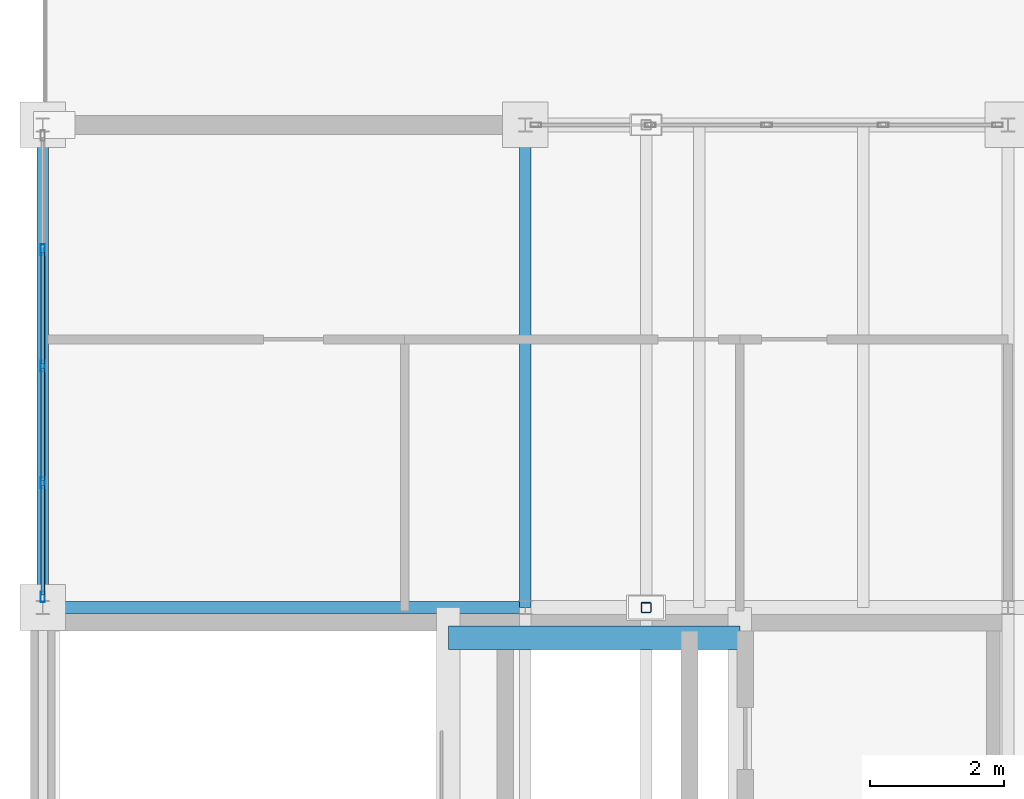
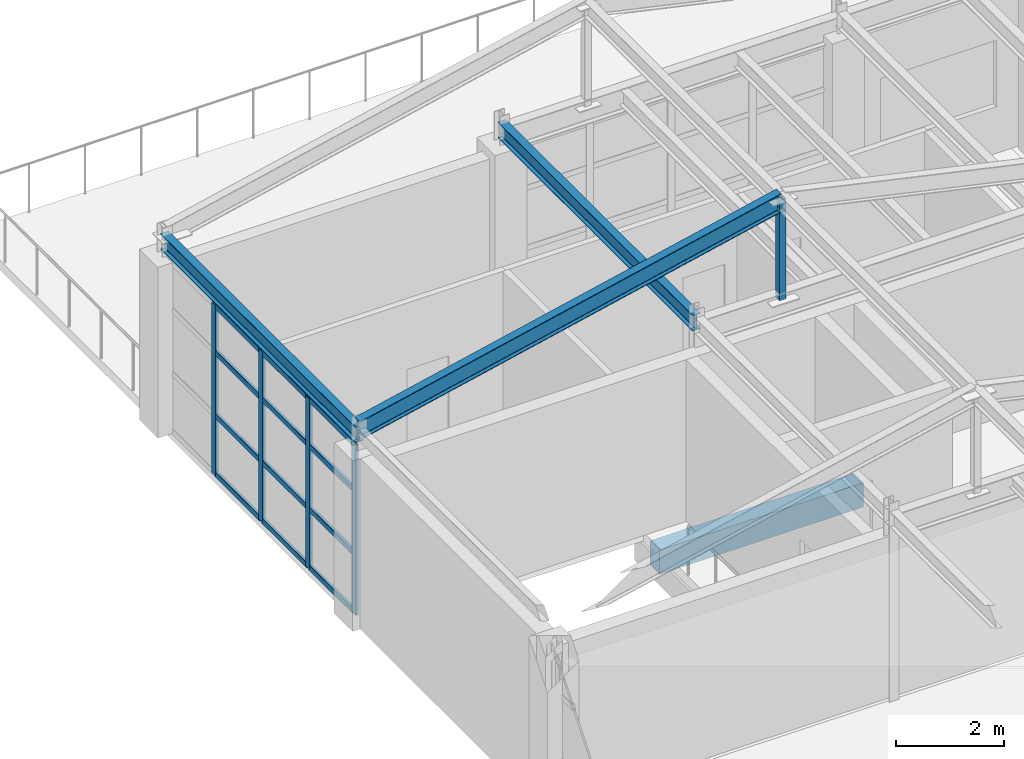
# One storey, part 28 of 43: 17 members, 4 beams, 1 element without a shape of its own.
"""IFC4 building model written with IfcOpenShell, lengths in metres."""

from ifc_helpers import new_model, si_unit, direction, frame, origin, origin_2d, place, context, subcontext, project, spatial, rectangle, hollow_rectangle, i_section, extrude, material, layer, layer_set, material_profile, profile_set, type_object, element, aggregate, save


model = new_model("IFC4")

# Units and contexts
model_context = context("Model", 3, precision=1e-05, world=origin(), true_north=direction((0.0, 1.0)))
body_context = subcontext(model_context, "Body", "Model", "MODEL_VIEW")
ifc_project = project(units=[si_unit("LENGTHUNIT", "METRE"), si_unit("AREAUNIT", "SQUARE_METRE"), si_unit("VOLUMEUNIT", "CUBIC_METRE"), si_unit("PLANEANGLEUNIT", "RADIAN"), si_unit("MASSUNIT", "GRAM", prefix="KILO")], contexts=[model_context])

# Site, building, storey
site_placement = place(None, origin())
site = spatial("IfcSite", under=ifc_project, at=site_placement, CompositionType="ELEMENT")
building_placement = place(site_placement, origin())
building = spatial("IfcBuilding", under=site, at=building_placement, Name="Kemerveld Promenade Tramway Depot", CompositionType="ELEMENT")
storey_placement = place(building_placement, frame((0.0, 0.0, 18.89990234375)))
storey = spatial("IfcBuildingStorey", under=building, at=storey_placement, Name="L04", CompositionType="ELEMENT", Elevation=18.89990234375)

# Beams
ifc_material_1 = material(Name="Steel S355", Category="steel")
ifc_material_profile_1 = material_profile(ifc_material_1, i_section(OverallWidth=0.1787109375, OverallDepth=0.409423828125, WebThickness=0.0087890625, FlangeThickness=0.014404296875, FilletRadius=0.01025390625, at=origin_2d()), Name="406x178x67 UB")
ifc_profile_set_1 = profile_set([ifc_material_profile_1], Name="Steel S355")
beam_type_1 = type_object("IfcBeamType", Name="BM-G07", PredefinedType="BEAM", material=ifc_profile_set_1)
beam_1_placement = place(storey_placement, frame((0.0, 50.39990234375, 4.275390625), z_axis=(0.976187060184, 0.0, 0.216930457819), x_axis=(0.0, 1.0, 0.0)))
element("IfcBeam", 1, at=beam_1_placement, inside=storey, type_object=beam_type_1, Name="RAF-V5-H-W", PredefinedType="BEAM", context=body_context, shape_type="SweptSolid", body=[
    extrude(i_section(OverallWidth=0.1787109375, OverallDepth=0.409423828125, WebThickness=0.0087890625, FlangeThickness=0.014404296875, FilletRadius=0.01025390625, at=origin_2d()), origin(), (0.0, 0.0, 1.0), 9.219482421875),
])
ifc_material_profile_2 = material_profile(ifc_material_1, i_section(OverallWidth=0.172119140625, OverallDepth=0.35791015625, WebThickness=0.008056640625, FlangeThickness=0.012939453125, FilletRadius=0.01025390625, at=origin_2d()), Name="356x171x57 UB")
ifc_profile_set_2 = profile_set([ifc_material_profile_2], Name="Steel S355")
beam_type_2 = type_object("IfcBeamType", Name="BM-G08", PredefinedType="BEAM", material=ifc_profile_set_2)
for number, where, z_axis, x_axis, name in (
    (2, (0.0, 50.39990234375, 4.14111328125), (0.0, 1.0, 0.0), (-1.0, 0.0, 0.0), "BMY-L04-01-H-J"),
    (3, (7.199951171875, 50.39990234375, 4.14111328125), (0.0, 1.0, 0.0), (-1.0, 0.0, 0.0), "BMY-L04-02-H-J"),
):
    element("IfcBeam", number, at=place(storey_placement, frame(where, z_axis=z_axis, x_axis=x_axis)), inside=storey, type_object=beam_type_2, Name=name, PredefinedType="BEAM", context=body_context, shape_type="SweptSolid", body=[
        extrude(i_section(OverallWidth=0.172119140625, OverallDepth=0.35791015625, WebThickness=0.008056640625, FlangeThickness=0.012939453125, FilletRadius=0.01025390625, at=origin_2d()), origin(), (0.0, 0.0, 1.0), 7.2001953125),
    ])
ifc_material_2 = material(Name="Concrete C40/50", Category="concrete")
ifc_material_profile_3 = material_profile(ifc_material_2, rectangle(XDim=0.35009765625, YDim=0.550048828125, at=origin_2d()), Name="RC-BM-350x550")
ifc_profile_set_3 = profile_set([ifc_material_profile_3], Name="Concrete C40/50")
beam_type_3 = type_object("IfcBeamType", Name="BM-RC3", PredefinedType="BEAM", material=ifc_profile_set_3)
beam_2_placement = place(storey_placement, frame((6.050048828125, 49.949951171875, -0.5), z_axis=(1.0, 0.0, 0.0), x_axis=(0.0, 1.0, 0.0)))
element("IfcBeam", 4, at=beam_2_placement, inside=storey, type_object=beam_type_3, Name="BM-COREX-C2-L04-N", PredefinedType="BEAM", context=body_context, shape_type="SweptSolid", body=[
    extrude(rectangle(XDim=0.35009765625, YDim=0.550048828125, at=origin_2d()), origin(), (0.0, 0.0, 1.0), 4.349853515625),
])

# Curtain wall, members
ifc_material_3 = material(Name="Bronze anodised aluminium and solar glass", Category="aluminium")
ifc_layer = layer(ifc_material_3, 0.159912109375)
ifc_layer_set = layer_set([ifc_layer], Name="CW-SYS-11")
curtain_wall_type = type_object("IfcCurtainWallType", Name="CW-SYS-11", PredefinedType="USERDEFINED", material=ifc_layer_set)
curtain_wall_placement = place(storey_placement, origin())
curtain_wall = element("IfcCurtainWall", 5, at=curtain_wall_placement, inside=storey, type_object=curtain_wall_type, Name="CW-L04-V5W-08", ObjectType="GLAZED_CURTAIN_WALL", PredefinedType="USERDEFINED")
ifc_material_4 = material(Name="Bronze anodised aluminium", Category="aluminium")
ifc_material_profile_4 = material_profile(ifc_material_4, hollow_rectangle(XDim=0.06494140625, YDim=0.159912109375, WallThickness=0.00390625, InnerFilletRadius=0.001953125, OuterFilletRadius=0.00390625, at=origin_2d()), Name="CW-MUL-160x65")
ifc_profile_set_4 = profile_set([ifc_material_profile_4], Name="Bronze anodised aluminium")
member_type_1 = type_object("IfcMemberType", Name="CW-MUL-A", PredefinedType="MULLION", material=ifc_profile_set_4)
member_1_placement = place(storey_placement, frame((0.0, 50.557373046875, 0.0), z_axis=(0.0, 0.0, 1.0), x_axis=(-1.0, 0.0, 0.0)))
member_1 = element("IfcMember", 6, at=member_1_placement, type_object=member_type_1, Name="CW11 mullion 1", PredefinedType="MULLION", context=body_context, shape_type="SweptSolid", body=[
    extrude(hollow_rectangle(XDim=0.06494140625, YDim=0.159912109375, WallThickness=0.00390625, InnerFilletRadius=0.001953125, OuterFilletRadius=0.00390625, at=origin_2d()), origin(), (0.0, 0.0, 1.0), 3.85009765625),
])
member_2_placement = place(storey_placement, frame((0.0, 52.262451171875, 0.0), z_axis=(0.0, 0.0, 1.0), x_axis=(-1.0, 0.0, 0.0)))
member_2 = element("IfcMember", 7, at=member_2_placement, type_object=member_type_1, Name="CW11 mullion 2", PredefinedType="MULLION", context=body_context, shape_type="SweptSolid", body=[
    extrude(hollow_rectangle(XDim=0.06494140625, YDim=0.159912109375, WallThickness=0.00390625, InnerFilletRadius=0.001953125, OuterFilletRadius=0.00390625, at=origin_2d()), origin(), (0.0, 0.0, 1.0), 3.85009765625),
])
member_3_placement = place(storey_placement, frame((0.0, 54.0, 0.0), z_axis=(0.0, 0.0, 1.0), x_axis=(-1.0, 0.0, 0.0)))
member_3 = element("IfcMember", 8, at=member_3_placement, type_object=member_type_1, Name="CW11 mullion 3", PredefinedType="MULLION", context=body_context, shape_type="SweptSolid", body=[
    extrude(hollow_rectangle(XDim=0.06494140625, YDim=0.159912109375, WallThickness=0.00390625, InnerFilletRadius=0.001953125, OuterFilletRadius=0.00390625, at=origin_2d()), origin(), (0.0, 0.0, 1.0), 3.85009765625),
])
member_4_placement = place(storey_placement, frame((0.0, 55.737548828125, 0.0), z_axis=(0.0, 0.0, 1.0), x_axis=(-1.0, 0.0, 0.0)))
member_4 = element("IfcMember", 9, at=member_4_placement, type_object=member_type_1, Name="CW11 mullion 4", PredefinedType="MULLION", context=body_context, shape_type="SweptSolid", body=[
    extrude(hollow_rectangle(XDim=0.06494140625, YDim=0.159912109375, WallThickness=0.00390625, InnerFilletRadius=0.001953125, OuterFilletRadius=0.00390625, at=origin_2d()), origin(), (0.0, 0.0, 1.0), 3.85009765625),
])
ifc_material_profile_5 = material_profile(ifc_material_4, hollow_rectangle(XDim=0.06005859375, YDim=0.1201171875, WallThickness=0.00390625, InnerFilletRadius=0.001953125, OuterFilletRadius=0.00390625, at=origin_2d()), Name="CW-TRN-120x60")
ifc_profile_set_5 = profile_set([ifc_material_profile_5], Name="Bronze anodised aluminium")
member_type_2 = type_object("IfcMemberType", Name="CW-TRN-A", PredefinedType="USERDEFINED", material=ifc_profile_set_5)
member_5_placement = place(storey_placement, frame((0.0, 50.58984375, 0.030029296875), z_axis=(0.0, 1.0, 0.0), x_axis=(-1.0, 0.0, 0.0)))
member_5 = element("IfcMember", 10, at=member_5_placement, type_object=member_type_2, Name="CW11 transom 1.1", ObjectType="TRANSOM", PredefinedType="USERDEFINED", context=body_context, shape_type="SweptSolid", body=[
    extrude(hollow_rectangle(XDim=0.06005859375, YDim=0.1201171875, WallThickness=0.00390625, InnerFilletRadius=0.001953125, OuterFilletRadius=0.00390625, at=origin_2d()), origin(), (0.0, 0.0, 1.0), 1.64013671875),
])
member_6_placement = place(storey_placement, frame((0.0, 50.58984375, 1.34716796875), z_axis=(0.0, 1.0, 0.0), x_axis=(-1.0, 0.0, 0.0)))
member_6 = element("IfcMember", 11, at=member_6_placement, type_object=member_type_2, Name="CW11 transom 1.2", ObjectType="TRANSOM", PredefinedType="USERDEFINED", context=body_context, shape_type="SweptSolid", body=[
    extrude(hollow_rectangle(XDim=0.06005859375, YDim=0.1201171875, WallThickness=0.00390625, InnerFilletRadius=0.001953125, OuterFilletRadius=0.00390625, at=origin_2d()), origin(), (0.0, 0.0, 1.0), 1.64013671875),
])
member_7_placement = place(storey_placement, frame((0.0, 50.58984375, 2.772216796875), z_axis=(0.0, 1.0, 0.0), x_axis=(-1.0, 0.0, 0.0)))
member_7 = element("IfcMember", 12, at=member_7_placement, type_object=member_type_2, Name="CW11 transom 1.3", ObjectType="TRANSOM", PredefinedType="USERDEFINED", context=body_context, shape_type="SweptSolid", body=[
    extrude(hollow_rectangle(XDim=0.06005859375, YDim=0.1201171875, WallThickness=0.00390625, InnerFilletRadius=0.001953125, OuterFilletRadius=0.00390625, at=origin_2d()), origin(), (0.0, 0.0, 1.0), 1.64013671875),
])
member_8_placement = place(storey_placement, frame((0.0, 50.58984375, 3.820068359375), z_axis=(0.0, 1.0, 0.0), x_axis=(-1.0, 0.0, 0.0)))
member_8 = element("IfcMember", 13, at=member_8_placement, type_object=member_type_2, Name="CW11 transom 1.4", ObjectType="TRANSOM", PredefinedType="USERDEFINED", context=body_context, shape_type="SweptSolid", body=[
    extrude(hollow_rectangle(XDim=0.06005859375, YDim=0.1201171875, WallThickness=0.00390625, InnerFilletRadius=0.001953125, OuterFilletRadius=0.00390625, at=origin_2d()), origin(), (0.0, 0.0, 1.0), 1.64013671875),
])
member_9_placement = place(storey_placement, frame((0.0, 52.294921875, 0.030029296875), z_axis=(0.0, 1.0, 0.0), x_axis=(-1.0, 0.0, 0.0)))
member_9 = element("IfcMember", 14, at=member_9_placement, type_object=member_type_2, Name="CW11 transom 2.1", ObjectType="TRANSOM", PredefinedType="USERDEFINED", context=body_context, shape_type="SweptSolid", body=[
    extrude(hollow_rectangle(XDim=0.06005859375, YDim=0.1201171875, WallThickness=0.00390625, InnerFilletRadius=0.001953125, OuterFilletRadius=0.00390625, at=origin_2d()), origin(), (0.0, 0.0, 1.0), 1.672607421875),
])
member_10_placement = place(storey_placement, frame((0.0, 52.294921875, 1.34716796875), z_axis=(0.0, 1.0, 0.0), x_axis=(-1.0, 0.0, 0.0)))
member_10 = element("IfcMember", 15, at=member_10_placement, type_object=member_type_2, Name="CW11 transom 2.2", ObjectType="TRANSOM", PredefinedType="USERDEFINED", context=body_context, shape_type="SweptSolid", body=[
    extrude(hollow_rectangle(XDim=0.06005859375, YDim=0.1201171875, WallThickness=0.00390625, InnerFilletRadius=0.001953125, OuterFilletRadius=0.00390625, at=origin_2d()), origin(), (0.0, 0.0, 1.0), 1.672607421875),
])
member_11_placement = place(storey_placement, frame((0.0, 52.294921875, 2.772216796875), z_axis=(0.0, 1.0, 0.0), x_axis=(-1.0, 0.0, 0.0)))
member_11 = element("IfcMember", 16, at=member_11_placement, type_object=member_type_2, Name="CW11 transom 2.3", ObjectType="TRANSOM", PredefinedType="USERDEFINED", context=body_context, shape_type="SweptSolid", body=[
    extrude(hollow_rectangle(XDim=0.06005859375, YDim=0.1201171875, WallThickness=0.00390625, InnerFilletRadius=0.001953125, OuterFilletRadius=0.00390625, at=origin_2d()), origin(), (0.0, 0.0, 1.0), 1.672607421875),
])
member_12_placement = place(storey_placement, frame((0.0, 52.294921875, 3.820068359375), z_axis=(0.0, 1.0, 0.0), x_axis=(-1.0, 0.0, 0.0)))
member_12 = element("IfcMember", 17, at=member_12_placement, type_object=member_type_2, Name="CW11 transom 2.4", ObjectType="TRANSOM", PredefinedType="USERDEFINED", context=body_context, shape_type="SweptSolid", body=[
    extrude(hollow_rectangle(XDim=0.06005859375, YDim=0.1201171875, WallThickness=0.00390625, InnerFilletRadius=0.001953125, OuterFilletRadius=0.00390625, at=origin_2d()), origin(), (0.0, 0.0, 1.0), 1.672607421875),
])
member_13_placement = place(storey_placement, frame((0.0, 54.032470703125, 0.030029296875), z_axis=(0.0, 1.0, 0.0), x_axis=(-1.0, 0.0, 0.0)))
member_13 = element("IfcMember", 18, at=member_13_placement, type_object=member_type_2, Name="CW11 transom 3.1", ObjectType="TRANSOM", PredefinedType="USERDEFINED", context=body_context, shape_type="SweptSolid", body=[
    extrude(hollow_rectangle(XDim=0.06005859375, YDim=0.1201171875, WallThickness=0.00390625, InnerFilletRadius=0.001953125, OuterFilletRadius=0.00390625, at=origin_2d()), origin(), (0.0, 0.0, 1.0), 1.672607421875),
])
member_14_placement = place(storey_placement, frame((0.0, 54.032470703125, 1.34716796875), z_axis=(0.0, 1.0, 0.0), x_axis=(-1.0, 0.0, 0.0)))
member_14 = element("IfcMember", 19, at=member_14_placement, type_object=member_type_2, Name="CW11 transom 3.2", ObjectType="TRANSOM", PredefinedType="USERDEFINED", context=body_context, shape_type="SweptSolid", body=[
    extrude(hollow_rectangle(XDim=0.06005859375, YDim=0.1201171875, WallThickness=0.00390625, InnerFilletRadius=0.001953125, OuterFilletRadius=0.00390625, at=origin_2d()), origin(), (0.0, 0.0, 1.0), 1.672607421875),
])
member_15_placement = place(storey_placement, frame((0.0, 54.032470703125, 2.772216796875), z_axis=(0.0, 1.0, 0.0), x_axis=(-1.0, 0.0, 0.0)))
member_15 = element("IfcMember", 20, at=member_15_placement, type_object=member_type_2, Name="CW11 transom 3.3", ObjectType="TRANSOM", PredefinedType="USERDEFINED", context=body_context, shape_type="SweptSolid", body=[
    extrude(hollow_rectangle(XDim=0.06005859375, YDim=0.1201171875, WallThickness=0.00390625, InnerFilletRadius=0.001953125, OuterFilletRadius=0.00390625, at=origin_2d()), origin(), (0.0, 0.0, 1.0), 1.672607421875),
])
member_16_placement = place(storey_placement, frame((0.0, 54.032470703125, 3.820068359375), z_axis=(0.0, 1.0, 0.0), x_axis=(-1.0, 0.0, 0.0)))
member_16 = element("IfcMember", 21, at=member_16_placement, type_object=member_type_2, Name="CW11 transom 3.4", ObjectType="TRANSOM", PredefinedType="USERDEFINED", context=body_context, shape_type="SweptSolid", body=[
    extrude(hollow_rectangle(XDim=0.06005859375, YDim=0.1201171875, WallThickness=0.00390625, InnerFilletRadius=0.001953125, OuterFilletRadius=0.00390625, at=origin_2d()), origin(), (0.0, 0.0, 1.0), 1.672607421875),
])
aggregate(curtain_wall, [member_1, member_2, member_3, member_4, member_5, member_6, member_7, member_8, member_9, member_10, member_11, member_12, member_13, member_14, member_15, member_16])

# Member
ifc_material_profile_6 = material_profile(ifc_material_1, hollow_rectangle(XDim=0.14990234375, YDim=0.14990234375, WallThickness=0.008056640625, InnerFilletRadius=0.00390625, OuterFilletRadius=0.011962890625, at=origin_2d()), Name="150x150x8.0 SHS")
ifc_profile_set_6 = profile_set([ifc_material_profile_6], Name="Steel S355")
member_type_3 = type_object("IfcMemberType", Name="MB-TP2", PredefinedType="POST", material=ifc_profile_set_6)
member_17_placement = place(storey_placement, frame((9.0, 50.39990234375, 4.050048828125), z_axis=(0.0, 0.0, 1.0), x_axis=(1.0, 0.0, 0.0)))
element("IfcMember", 22, at=member_17_placement, inside=storey, type_object=member_type_3, Name="POST-RDG-V5-H", PredefinedType="POST", context=body_context, shape_type="SweptSolid", body=[
    extrude(hollow_rectangle(XDim=0.14990234375, YDim=0.14990234375, WallThickness=0.008056640625, InnerFilletRadius=0.00390625, OuterFilletRadius=0.011962890625, at=origin_2d()), origin(), (0.0, 0.0, 1.0), 2.265380859375),
])

save(model, "model.ifc")
